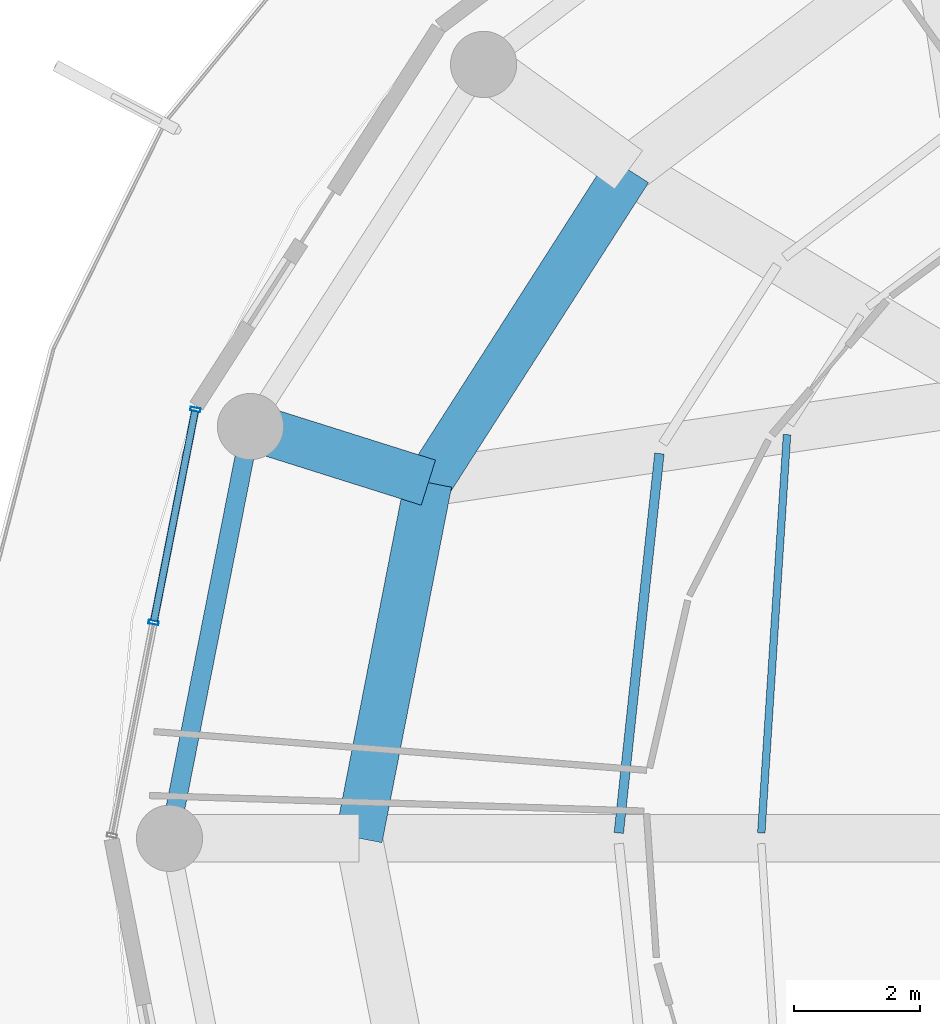
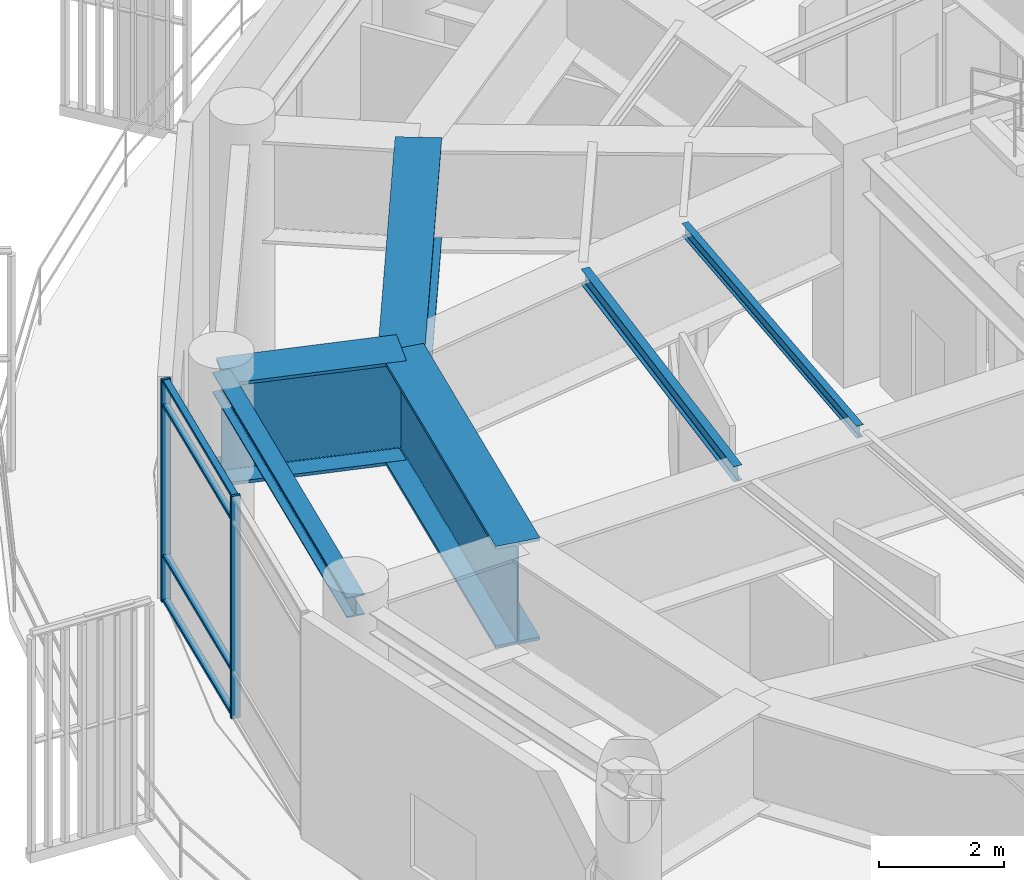
# One storey, part 8 of 29: 6 beams, 6 members, 1 element without a shape of its own.
"""IFC4 building model written with IfcOpenShell, lengths in metres."""

from ifc_helpers import new_model, si_unit, direction, frame, origin, origin_2d, place, context, subcontext, project, spatial, hollow_rectangle, i_section, extrude, material, layer, layer_set, material_profile, profile_set, type_object, element, aggregate, save


model = new_model("IFC4")

# Units and contexts
model_context = context("Model", 3, precision=1e-05, world=origin(), true_north=direction((0.0, 1.0)))
body_context = subcontext(model_context, "Body", "Model", "MODEL_VIEW")
ifc_project = project(units=[si_unit("LENGTHUNIT", "METRE"), si_unit("AREAUNIT", "SQUARE_METRE"), si_unit("VOLUMEUNIT", "CUBIC_METRE"), si_unit("PLANEANGLEUNIT", "RADIAN"), si_unit("MASSUNIT", "GRAM", prefix="KILO")], contexts=[model_context])

# Site, building, storey
site_placement = place(None, origin())
site = spatial("IfcSite", under=ifc_project, at=site_placement, CompositionType="ELEMENT")
building_placement = place(site_placement, origin())
building = spatial("IfcBuilding", under=site, at=building_placement, Name="Kelanora Arch Commons", CompositionType="ELEMENT")
storey_placement = place(building_placement, frame((0.0, 0.0, 238.199951171875)))
storey = spatial("IfcBuildingStorey", under=building, at=storey_placement, Name="L61", CompositionType="ELEMENT", Elevation=238.199951171875)

# Beams
ifc_material_1 = material(Name="Steel S355", Category="steel")
ifc_material_profile_1 = material_profile(ifc_material_1, i_section(OverallWidth=0.14990234375, OverallDepth=0.300048828125, WebThickness=0.007080078125, FlangeThickness=0.0107421875, FilletRadius=0.014892578125, at=origin_2d()), Name="IPE300")
ifc_profile_set_1 = profile_set([ifc_material_profile_1], Name="Steel S355")
beam_type_1 = type_object("IfcBeamType", Name="BM-JST-01", PredefinedType="JOIST", material=ifc_profile_set_1)
beam_1_placement = place(storey_placement, frame((60.484375, 64.097412109375, 4.2099609375), z_axis=(-0.106380594087, -0.994325484538, 0.0), x_axis=(0.994325484538, -0.106380594087, 0.0)))
element("IfcBeam", 1, at=beam_1_placement, inside=storey, type_object=beam_type_1, Name="Secondary Chord Joist BJB-16 L61", PredefinedType="JOIST", context=body_context, shape_type="SweptSolid", body=[
    extrude(i_section(OverallWidth=0.14990234375, OverallDepth=0.300048828125, WebThickness=0.007080078125, FlangeThickness=0.0107421875, FilletRadius=0.014892578125, at=origin_2d()), origin(), (0.0, 0.0, 1.0), 6.04736328125),
])
ifc_material_profile_2 = material_profile(ifc_material_1, i_section(OverallWidth=0.1201171875, OverallDepth=0.239990234375, WebThickness=0.006103515625, FlangeThickness=0.009765625, FilletRadius=0.014892578125, at=origin_2d()), Name="IPE240")
ifc_profile_set_2 = profile_set([ifc_material_profile_2], Name="Steel S355")
beam_type_2 = type_object("IfcBeamType", Name="BM-JST-02", PredefinedType="JOIST", material=ifc_profile_set_2)
beam_2_placement = place(storey_placement, frame((62.507080078125, 64.39697265625, 4.239990234375), z_axis=(-0.064495107978, -0.99791802321, 0.0), x_axis=(0.99791802321, -0.064495107978, 0.0)))
element("IfcBeam", 2, at=beam_2_placement, inside=storey, type_object=beam_type_2, Name="Secondary Chord Joist BJA-16 L61", PredefinedType="JOIST", context=body_context, shape_type="SweptSolid", body=[
    extrude(i_section(OverallWidth=0.1201171875, OverallDepth=0.239990234375, WebThickness=0.006103515625, FlangeThickness=0.009765625, FilletRadius=0.014892578125, at=origin_2d()), origin(), (0.0, 0.0, 1.0), 6.325439453125),
])
ifc_material_profile_3 = material_profile(ifc_material_1, i_section(OverallWidth=0.300048828125, OverallDepth=0.39990234375, WebThickness=0.013427734375, FlangeThickness=0.02392578125, FilletRadius=0.027099609375, at=origin_2d()), Name="HEB400")
ifc_profile_set_3 = profile_set([ifc_material_profile_3], Name="Steel S355")
beam_type_3 = type_object("IfcBeamType", Name="BM-SPN-Z4", PredefinedType="SPANDREL", material=ifc_profile_set_3)
beam_3_placement = place(storey_placement, frame((54.00341796875, 64.525634765625, 4.16015625), z_axis=(-0.192980724826, -0.981202547819, 0.0), x_axis=(0.981202547819, -0.192980724826, 0.0)))
element("IfcBeam", 3, at=beam_3_placement, inside=storey, type_object=beam_type_3, Name="Perimeter Spandrel Beam BS-16 L61", PredefinedType="SPANDREL", context=body_context, shape_type="SweptSolid", body=[
    extrude(i_section(OverallWidth=0.300048828125, OverallDepth=0.39990234375, WebThickness=0.013427734375, FlangeThickness=0.02392578125, FilletRadius=0.027099609375, at=origin_2d()), origin(), (0.0, 0.0, 1.0), 6.650634765625),
])
ifc_material_profile_4 = material_profile(ifc_material_1, i_section(OverallWidth=0.75, OverallDepth=2.0, WebThickness=0.034912109375, FlangeThickness=0.06005859375, FilletRadius=0.028076171875, at=origin_2d()), Name="PG2000x750")
ifc_profile_set_4 = profile_set([ifc_material_profile_4], Name="Steel S355")
beam_type_4 = type_object("IfcBeamType", Name="BM-XFER-SET", PredefinedType="USERDEFINED", material=ifc_profile_set_4)
beam_4_placement = place(storey_placement, frame((56.822509765625, 63.636474609375, 3.360107421875), z_axis=(-0.953687459381, 0.300799318184, 0.0), x_axis=(-0.300799318184, -0.953687459381, 0.0)))
element("IfcBeam", 4, at=beam_4_placement, inside=storey, type_object=beam_type_4, Name="Radial Floor Girder BR-16 L61", ObjectType="TRANSFER_GIRDER", PredefinedType="USERDEFINED", context=body_context, shape_type="SweptSolid", body=[
    extrude(i_section(OverallWidth=0.75, OverallDepth=2.0, WebThickness=0.034912109375, FlangeThickness=0.06005859375, FilletRadius=0.028076171875, at=origin_2d()), origin(), (0.0, 0.0, 1.0), 2.9560546875),
])
beam_5_placement = place(storey_placement, frame((59.99658203125, 68.593017578125, 3.360107421875), z_axis=(-0.539280851353, -0.842125978322, 0.0), x_axis=(0.842125978322, -0.539280851353, 0.0)))
element("IfcBeam", 5, at=beam_5_placement, inside=storey, type_object=beam_type_4, Name="Setback Inner Transfer Ring BSI-14 L61", ObjectType="TRANSFER_GIRDER", PredefinedType="USERDEFINED", context=body_context, shape_type="SweptSolid", body=[
    extrude(i_section(OverallWidth=0.75, OverallDepth=2.0, WebThickness=0.034912109375, FlangeThickness=0.06005859375, FilletRadius=0.028076171875, at=origin_2d()), origin(), (0.0, 0.0, 1.0), 5.8857421875),
])
beam_6_placement = place(storey_placement, frame((56.822509765625, 63.636474609375, 3.360107421875), z_axis=(-0.191969774604, -0.981400838413, 0.0), x_axis=(0.981400838413, -0.191969774604, 0.0)))
element("IfcBeam", 6, at=beam_6_placement, inside=storey, type_object=beam_type_4, Name="Setback Inner Transfer Ring BSI-16 L61", ObjectType="TRANSFER_GIRDER", PredefinedType="USERDEFINED", context=body_context, shape_type="SweptSolid", body=[
    extrude(i_section(OverallWidth=0.75, OverallDepth=2.0, WebThickness=0.034912109375, FlangeThickness=0.06005859375, FilletRadius=0.028076171875, at=origin_2d()), origin(), (0.0, 0.0, 1.0), 5.743408203125),
])

# Curtain wall, members
ifc_material_2 = material(Name="Terracotta ceramic-fritted low-E glass and aluminium", Category="masonry")
ifc_layer = layer(ifc_material_2, 0.175048828125)
ifc_layer_set = layer_set([ifc_layer], Name="Terracotta ceramic-fritted low-E glass and aluminium")
curtain_wall_type = type_object("IfcCurtainWallType", Name="CW-SYS-02", PredefinedType="NOTDEFINED", material=ifc_layer_set)
curtain_wall_placement = place(storey_placement, origin())
curtain_wall = element("IfcCurtainWall", 7, at=curtain_wall_placement, inside=storey, type_object=curtain_wall_type, Name="Unitised Curtain Wall L61-B08", PredefinedType="NOTDEFINED")
ifc_material_3 = material(Name="Powder-coated aluminium terracotta", Category="masonry")
ifc_material_profile_5 = material_profile(ifc_material_3, hollow_rectangle(XDim=0.159912109375, YDim=0.06005859375, WallThickness=0.0048828125, InnerFilletRadius=0.0048828125, OuterFilletRadius=0.010009765625, at=origin_2d()), Name="CWM160x60")
ifc_profile_set_5 = profile_set([ifc_material_profile_5], Name="Powder-coated aluminium terracotta")
member_type_1 = type_object("IfcMemberType", Name="CWM-STD", PredefinedType="MULLION", material=ifc_profile_set_5)
member_1_placement = place(storey_placement, frame((53.130126953125, 64.796142578125, 0.0), z_axis=(0.0, 0.0, 1.0), x_axis=(0.981381438349, -0.192068926335, 0.0)))
member_1 = element("IfcMember", 8, at=member_1_placement, type_object=member_type_1, Name="CW-02 mullion 1", PredefinedType="MULLION", context=body_context, shape_type="SweptSolid", body=[
    extrude(hollow_rectangle(XDim=0.159912109375, YDim=0.06005859375, WallThickness=0.0048828125, InnerFilletRadius=0.0048828125, OuterFilletRadius=0.010009765625, at=origin_2d()), origin(), (0.0, 0.0, 1.0), 4.344970703125),
])
member_2_placement = place(storey_placement, frame((52.469482421875, 61.420166015625, 0.0), z_axis=(0.0, 0.0, 1.0), x_axis=(0.981381438349, -0.192068926335, 0.0)))
member_2 = element("IfcMember", 9, at=member_2_placement, type_object=member_type_1, Name="CW-02 mullion 2", PredefinedType="MULLION", context=body_context, shape_type="SweptSolid", body=[
    extrude(hollow_rectangle(XDim=0.159912109375, YDim=0.06005859375, WallThickness=0.0048828125, InnerFilletRadius=0.0048828125, OuterFilletRadius=0.010009765625, at=origin_2d()), origin(), (0.0, 0.0, 1.0), 4.344970703125),
])
ifc_material_profile_6 = material_profile(ifc_material_3, hollow_rectangle(XDim=0.1201171875, YDim=0.06005859375, WallThickness=0.0048828125, InnerFilletRadius=0.0048828125, OuterFilletRadius=0.010009765625, at=origin_2d()), Name="CWT120x60")
ifc_profile_set_6 = profile_set([ifc_material_profile_6], Name="Powder-coated aluminium terracotta")
member_type_2 = type_object("IfcMemberType", Name="CWT-STD", PredefinedType="USERDEFINED", material=ifc_profile_set_6)
member_3_placement = place(storey_placement, frame((53.124267578125, 64.766845703125, 0.030029296875), z_axis=(-0.192058488005, -0.981383481207, 0.0), x_axis=(0.981383481207, -0.192058488005, 0.0)))
member_3 = element("IfcMember", 10, at=member_3_placement, type_object=member_type_2, Name="CW-02 transom 1.1", ObjectType="TRANSOM", PredefinedType="USERDEFINED", context=body_context, shape_type="SweptSolid", body=[
    extrude(hollow_rectangle(XDim=0.1201171875, YDim=0.06005859375, WallThickness=0.0048828125, InnerFilletRadius=0.0048828125, OuterFilletRadius=0.010009765625, at=origin_2d()), origin(), (0.0, 0.0, 1.0), 3.380126953125),
])
member_4_placement = place(storey_placement, frame((53.124267578125, 64.766845703125, 0.900146484375), z_axis=(-0.192058488005, -0.981383481207, 0.0), x_axis=(0.981383481207, -0.192058488005, 0.0)))
member_4 = element("IfcMember", 11, at=member_4_placement, type_object=member_type_2, Name="CW-02 transom 1.2", ObjectType="TRANSOM", PredefinedType="USERDEFINED", context=body_context, shape_type="SweptSolid", body=[
    extrude(hollow_rectangle(XDim=0.1201171875, YDim=0.06005859375, WallThickness=0.0048828125, InnerFilletRadius=0.0048828125, OuterFilletRadius=0.010009765625, at=origin_2d()), origin(), (0.0, 0.0, 1.0), 3.380126953125),
])
member_5_placement = place(storey_placement, frame((53.124267578125, 64.766845703125, 3.844970703125), z_axis=(-0.192058488005, -0.981383481207, 0.0), x_axis=(0.981383481207, -0.192058488005, 0.0)))
member_5 = element("IfcMember", 12, at=member_5_placement, type_object=member_type_2, Name="CW-02 transom 1.3", ObjectType="TRANSOM", PredefinedType="USERDEFINED", context=body_context, shape_type="SweptSolid", body=[
    extrude(hollow_rectangle(XDim=0.1201171875, YDim=0.06005859375, WallThickness=0.0048828125, InnerFilletRadius=0.0048828125, OuterFilletRadius=0.010009765625, at=origin_2d()), origin(), (0.0, 0.0, 1.0), 3.380126953125),
])
member_6_placement = place(storey_placement, frame((53.124267578125, 64.766845703125, 4.31494140625), z_axis=(-0.192058488005, -0.981383481207, 0.0), x_axis=(0.981383481207, -0.192058488005, 0.0)))
member_6 = element("IfcMember", 13, at=member_6_placement, type_object=member_type_2, Name="CW-02 transom 1.4", ObjectType="TRANSOM", PredefinedType="USERDEFINED", context=body_context, shape_type="SweptSolid", body=[
    extrude(hollow_rectangle(XDim=0.1201171875, YDim=0.06005859375, WallThickness=0.0048828125, InnerFilletRadius=0.0048828125, OuterFilletRadius=0.010009765625, at=origin_2d()), origin(), (0.0, 0.0, 1.0), 3.380126953125),
])
aggregate(curtain_wall, [member_1, member_2, member_3, member_4, member_5, member_6])

save(model, "model.ifc")
